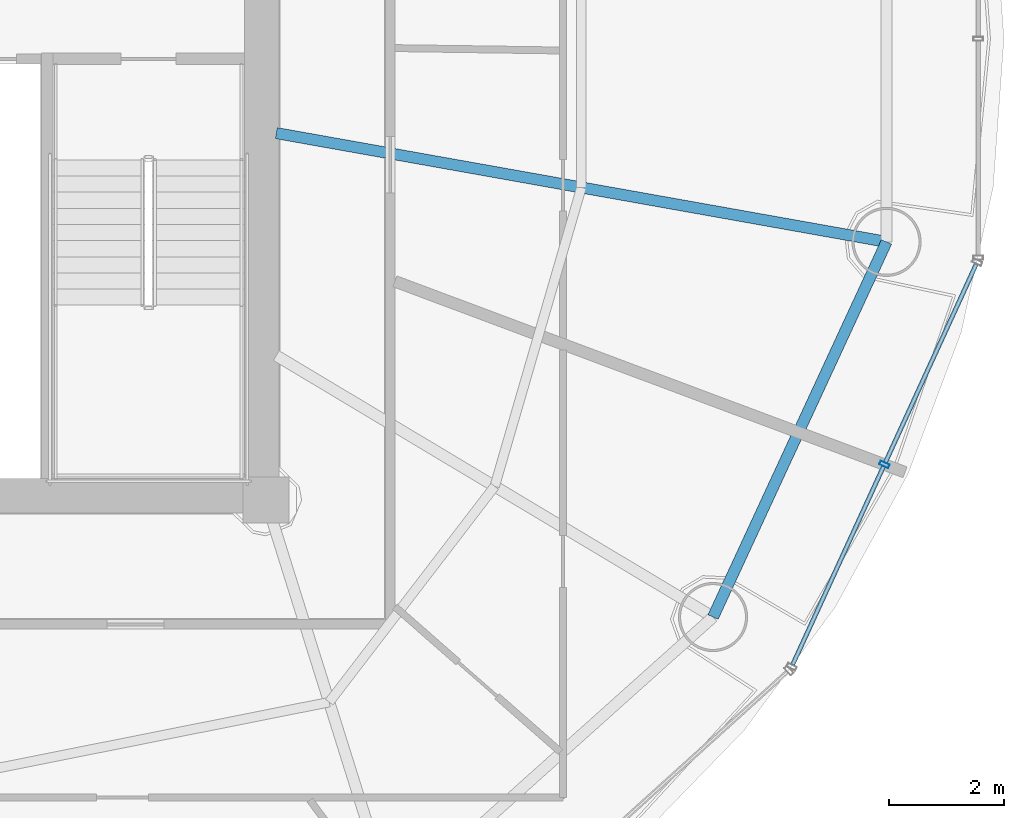
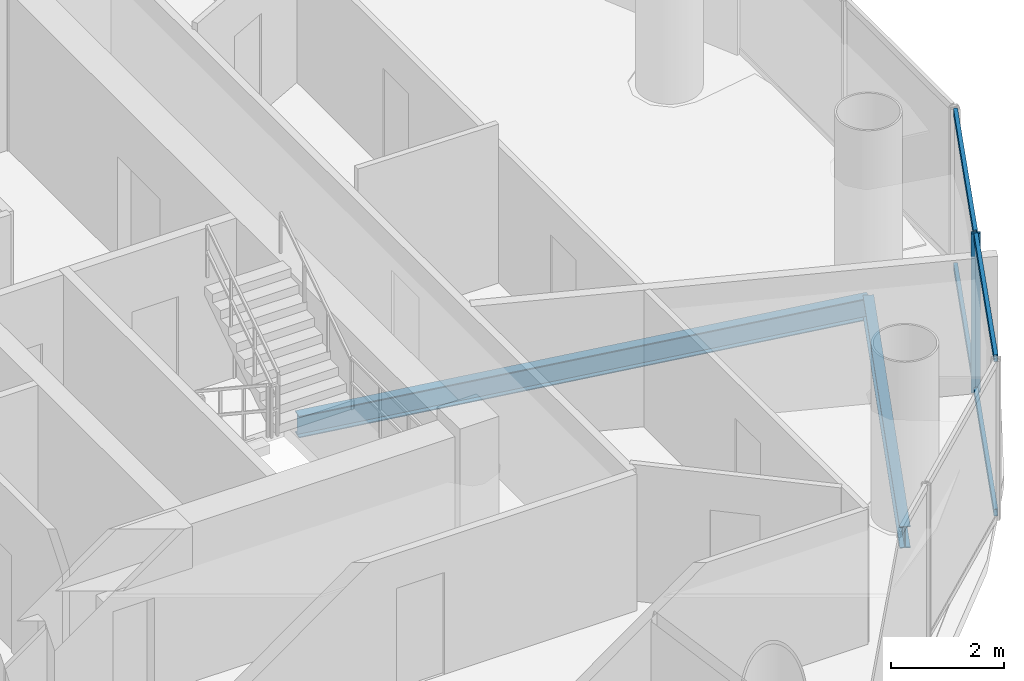
# One storey, part 11 of 26: 5 members, 2 beams, 1 element without a shape of its own.
"""IFC4 building model written with IfcOpenShell, lengths in metres."""

from ifc_helpers import new_model, si_unit, direction, frame, origin, origin_2d, place, context, subcontext, project, spatial, hollow_rectangle, i_section, extrude, source, transform, mapped, material, material_profile, profile_set, type_object, element, aggregate, save


model = new_model("IFC4")

# Units and contexts
model_context = context("Model", 3, precision=1e-05, world=origin(), true_north=direction((-0.2419218956, 0.970295726276)))
body_context = subcontext(model_context, "Body", "Model", "MODEL_VIEW")
ifc_project = project(units=[si_unit("LENGTHUNIT", "METRE"), si_unit("AREAUNIT", "SQUARE_METRE"), si_unit("VOLUMEUNIT", "CUBIC_METRE"), si_unit("PLANEANGLEUNIT", "RADIAN"), si_unit("MASSUNIT", "GRAM", prefix="KILO")], contexts=[model_context])

# Site, building, storey
site_placement = place(None, origin())
site = spatial("IfcSite", under=ifc_project, at=site_placement, CompositionType="ELEMENT")
building_placement = place(site_placement, origin())
building = spatial("IfcBuilding", under=site, at=building_placement, Name="Cobrevalo Terracotta Tower", CompositionType="ELEMENT")
storey_placement = place(building_placement, frame((0.0, 0.0, 235.60009765625)))
storey = spatial("IfcBuildingStorey", under=building, at=storey_placement, Name="L62", CompositionType="ELEMENT", Elevation=235.60009765625)

# Beams
ifc_material_1 = material(Name="Steel S355", Category="steel")
ifc_material_profile_1 = material_profile(ifc_material_1, i_section(OverallWidth=0.194091796875, OverallDepth=0.468994140625, WebThickness=0.011474609375, FlangeThickness=0.0205078125, at=origin_2d()), Name="W 460x106")
ifc_profile_set_1 = profile_set([ifc_material_profile_1], Name="Steel S355")
beam_type_1 = type_object("IfcBeamType", Name="Structural Beam W 460x106 (Steel S355)", PredefinedType="BEAM", material=ifc_profile_set_1)
beam_1_placement = place(storey_placement, frame((57.762939453125, 23.278564453125, -0.49951171875), z_axis=(-0.984493198547, 0.175422752274, 0.0), x_axis=(-0.175422752274, -0.984493198547, 0.0)))
element("IfcBeam", 1, at=beam_1_placement, inside=storey, type_object=beam_type_1, Name="L62 radial floor girder 16", PredefinedType="BEAM", context=body_context, shape_type="SweptSolid", body=[
    extrude(i_section(OverallWidth=0.194091796875, OverallDepth=0.468994140625, WebThickness=0.011474609375, FlangeThickness=0.0205078125, at=origin_2d()), origin(), (0.0, 0.0, 1.0), 10.749755859375),
])
ifc_material_profile_2 = material_profile(ifc_material_1, i_section(OverallWidth=0.194091796875, OverallDepth=0.468994140625, WebThickness=0.011474609375, FlangeThickness=0.0205078125, at=origin_2d()), Name="W 460x106")
ifc_profile_set_2 = profile_set([ifc_material_profile_2], Name="Steel S355")
beam_type_2 = type_object("IfcBeamType", Name="Structural Spandrel W 460x106 (Steel S355)", PredefinedType="SPANDREL", material=ifc_profile_set_2)
beam_2_placement = place(storey_placement, frame((54.754150390625, 16.77197265625, -0.49951171875), z_axis=(0.419718939129, 0.90765412583, 0.0), x_axis=(-0.90765412583, 0.419718939129, 0.0)))
element("IfcBeam", 2, at=beam_2_placement, inside=storey, type_object=beam_type_2, Name="L62 perimeter ring spandrel 15", PredefinedType="SPANDREL", context=body_context, shape_type="SweptSolid", body=[
    extrude(i_section(OverallWidth=0.194091796875, OverallDepth=0.468994140625, WebThickness=0.011474609375, FlangeThickness=0.0205078125, at=origin_2d()), origin(), (0.0, 0.0, 1.0), 7.168701171875),
])

# Curtain wall, members
ifc_material_2 = material(Name="Anodized aluminium", Category="aluminium")
curtain_wall_type = type_object("IfcCurtainWallType", Name="Mid-tower high-wind unitised curtain wall CW-U2", PredefinedType="NOTDEFINED", material=ifc_material_2)
curtain_wall_placement = place(storey_placement, origin())
curtain_wall = element("IfcCurtainWall", 3, at=curtain_wall_placement, inside=storey, type_object=curtain_wall_type, Name="L62 curtain wall CW-L62-S15", PredefinedType="NOTDEFINED")
ifc_material_profile_3 = material_profile(ifc_material_2, hollow_rectangle(XDim=0.074951171875, YDim=0.14990234375, WallThickness=0.00439453125, at=origin_2d()), Name="CWT 75x150")
ifc_profile_set_3 = profile_set([ifc_material_profile_3], Name="Anodized aluminium")
member_type_1 = type_object("IfcMemberType", Name="Tower unitised aluminium transom 75x150", PredefinedType="USERDEFINED", material=ifc_profile_set_3)
shared_shape_1 = source(origin(), body_context, "Body", "SweptSolid", [
    extrude(hollow_rectangle(XDim=0.074951171875, YDim=0.14990234375, WallThickness=0.00439453125, at=origin_2d()), origin(), (0.0, 0.0, 1.0), 3.780029296875),
])
member_1_placement = place(storey_placement, frame((56.134521484375, 15.944580078125, 0.0498046875), z_axis=(0.416705859352, 0.909041377926, 0.0), x_axis=(-0.909041377926, 0.416705859352, 0.0)))
member_1 = element("IfcMember", 4, at=member_1_placement, type_object=member_type_1, Name="CW-L62-S15 transom B01-T1", ObjectType="TRANSOM", PredefinedType="USERDEFINED", context=body_context, shape_type="MappedRepresentation", body=[
    mapped(shared_shape_1, transform((0.0, 0.0, 0.0), scale=1.0)),
])
member_2_placement = place(storey_placement, frame((56.134521484375, 15.944580078125, 3.385009765625), z_axis=(0.416705859352, 0.909041377926, 0.0), x_axis=(-0.909041377926, 0.416705859352, 0.0)))
member_2 = element("IfcMember", 5, at=member_2_placement, type_object=member_type_1, Name="CW-L62-S15 transom B01-T2", ObjectType="TRANSOM", PredefinedType="USERDEFINED", context=body_context, shape_type="MappedRepresentation", body=[
    mapped(shared_shape_1, transform((0.0, 0.0, 0.0), scale=1.0)),
])
member_3_placement = place(storey_placement, frame((57.7431640625, 19.45361328125, 0.0498046875), z_axis=(0.416705859352, 0.909041377926, 0.0), x_axis=(-0.909041377926, 0.416705859352, 0.0)))
member_3 = element("IfcMember", 6, at=member_3_placement, type_object=member_type_1, Name="CW-L62-S15 transom B02-T1", ObjectType="TRANSOM", PredefinedType="USERDEFINED", context=body_context, shape_type="MappedRepresentation", body=[
    mapped(shared_shape_1, transform((0.0, 0.0, 0.0), scale=1.0)),
])
member_4_placement = place(storey_placement, frame((57.7431640625, 19.45361328125, 3.385009765625), z_axis=(0.416705859352, 0.909041377926, 0.0), x_axis=(-0.909041377926, 0.416705859352, 0.0)))
member_4 = element("IfcMember", 7, at=member_4_placement, type_object=member_type_1, Name="CW-L62-S15 transom B02-T2", ObjectType="TRANSOM", PredefinedType="USERDEFINED", context=body_context, shape_type="MappedRepresentation", body=[
    mapped(shared_shape_1, transform((0.0, 0.0, 0.0), scale=1.0)),
])
ifc_material_profile_4 = material_profile(ifc_material_2, hollow_rectangle(XDim=0.070068359375, YDim=0.169921875, WallThickness=0.00439453125, at=origin_2d()), Name="CWM 70x170")
ifc_profile_set_4 = profile_set([ifc_material_profile_4], Name="Anodized aluminium")
member_type_2 = type_object("IfcMemberType", Name="Upper tower unitised mullion 70x170", PredefinedType="MULLION", material=ifc_profile_set_4)
shared_shape_2 = source(origin(), body_context, "Body", "SweptSolid", [
    extrude(hollow_rectangle(XDim=0.070068359375, YDim=0.169921875, WallThickness=0.00439453125, at=origin_2d()), origin(), (0.0, 0.0, 1.0), 3.434814453125),
])
member_5_placement = place(storey_placement, frame((57.726318359375, 19.417236328125, 0.0), z_axis=(0.0, 0.0, 1.0), x_axis=(0.41672507912, 0.909032567311, 0.0)))
member_5 = element("IfcMember", 8, at=member_5_placement, type_object=member_type_2, Name="CW-L62-S15 vertical mullion 02", PredefinedType="MULLION", context=body_context, shape_type="MappedRepresentation", body=[
    mapped(shared_shape_2, transform((0.0, 0.0, 0.0), scale=1.0)),
])
aggregate(curtain_wall, [member_5, member_1, member_2, member_3, member_4])

save(model, "model.ifc")
